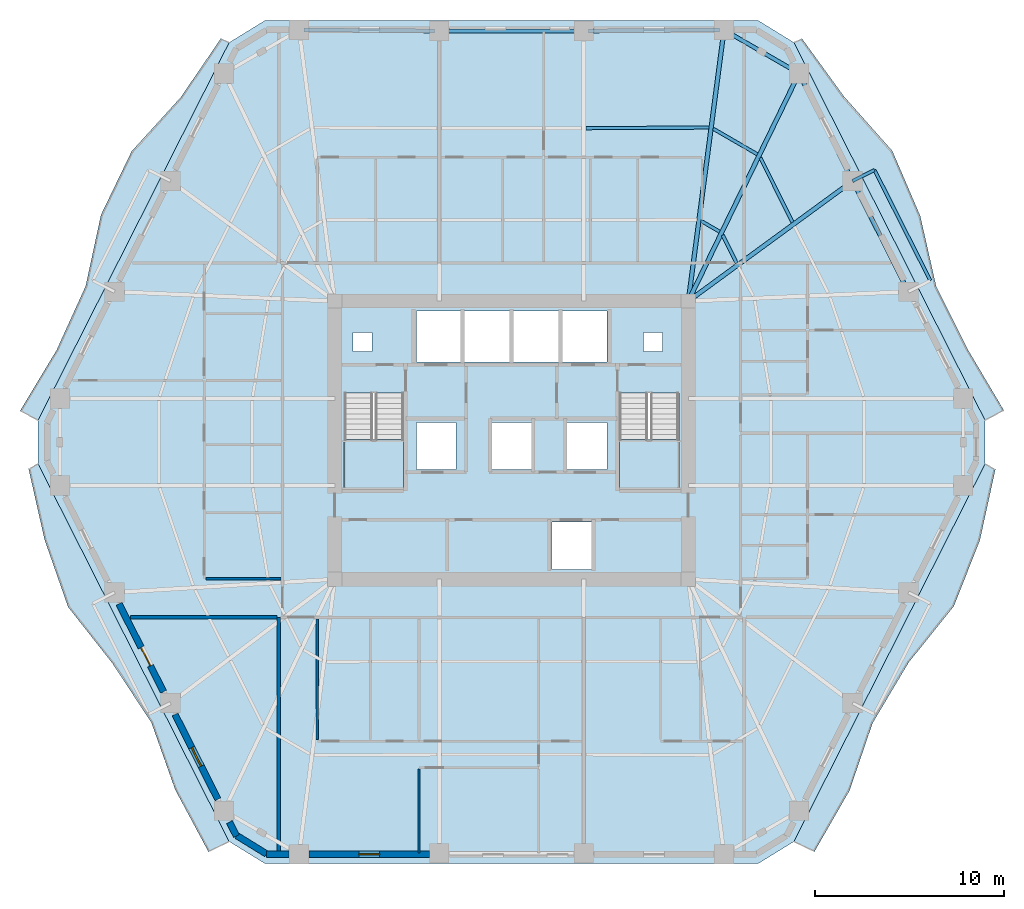
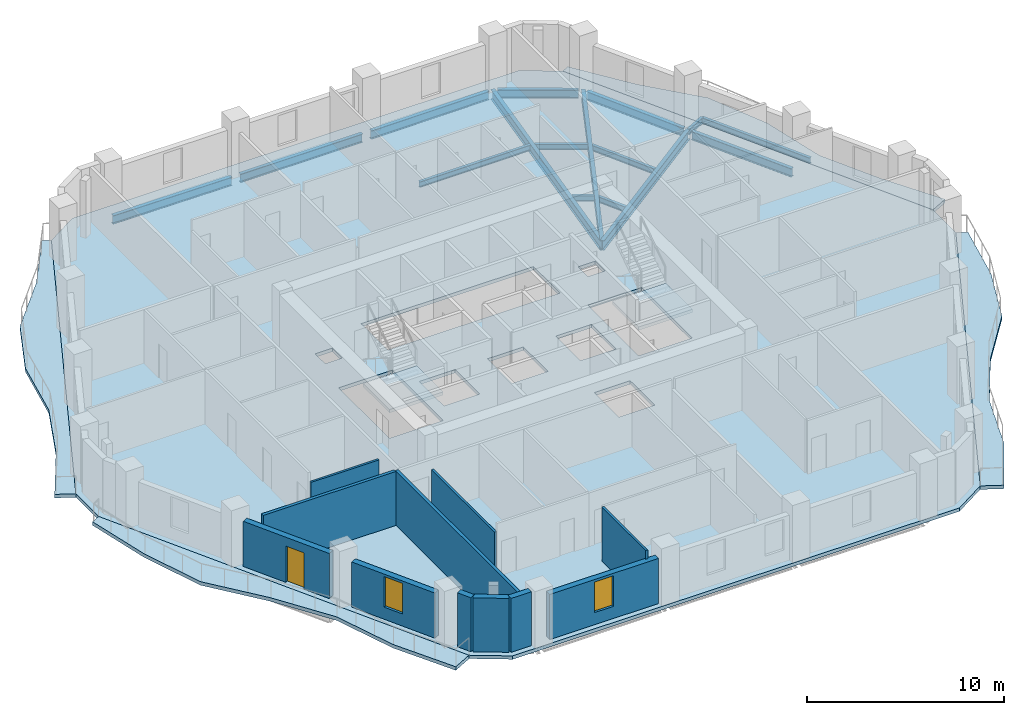
# One storey, part 3 of 11: 16 beams, 11 walls, 7 slabs, 2 windows, 1 door, 3 openings, 2 elements without a shape of their own.
"""IFC4 building model written with IfcOpenShell, lengths in metres."""

from ifc_helpers import new_model, si_unit, direction, frame, frame_2d, origin, origin_2d, place, context, subcontext, project, spatial, polyline, rectangle, i_section, outline, extrude, material, layer, layer_set, material_profile, profile_set, type_object, element, fill, aggregate, save


model = new_model("IFC4")

# Units and contexts
model_context = context("Model", 3, precision=1e-05, world=origin(), true_north=direction((0.0, 1.0)))
body_context = subcontext(model_context, "Body", "Model", "MODEL_VIEW")
ifc_project = project(units=[si_unit("LENGTHUNIT", "METRE"), si_unit("AREAUNIT", "SQUARE_METRE"), si_unit("VOLUMEUNIT", "CUBIC_METRE"), si_unit("PLANEANGLEUNIT", "RADIAN"), si_unit("MASSUNIT", "GRAM", prefix="KILO")], contexts=[model_context])

# Site, building, storey
site_placement = place(None, origin())
site = spatial("IfcSite", under=ifc_project, at=site_placement, CompositionType="ELEMENT")
building_placement = place(site_placement, origin())
building = spatial("IfcBuilding", under=site, at=building_placement, Name="Cinnabar Lancet Tower", CompositionType="ELEMENT")
storey_placement = place(building_placement, frame((0.0, 0.0, 101.949951171875)))
storey = spatial("IfcBuildingStorey", under=building, at=storey_placement, Name="L26", CompositionType="ELEMENT", Elevation=101.949951171875)

# Beams
ifc_material_1 = material(Name="Structural steel S355", Category="steel")
ifc_material_profile_1 = material_profile(ifc_material_1, i_section(OverallWidth=0.17138671875, OverallDepth=0.35498046875, WebThickness=0.00732421875, FlangeThickness=0.011474609375, FilletRadius=0.01025390625, at=origin_2d()), Name="UKB 356x171x51")
ifc_profile_set_1 = profile_set([ifc_material_profile_1], Name="Structural steel S355")
beam_type_1 = type_object("IfcBeamType", Name="STR-BM-JST-356", PredefinedType="JOIST", material=ifc_profile_set_1)
beam_1_placement = place(storey_placement, frame((47.300048828125, 37.455078125, -0.387939453125), z_axis=(-0.445116798807, 0.895472520751, 0.0), x_axis=(-0.895472520751, -0.445116798807, 0.0)))
element("IfcBeam", 1, at=beam_1_placement, inside=storey, type_object=beam_type_1, Name="L26 Secondary Floor Joist 29", PredefinedType="JOIST", context=body_context, shape_type="SweptSolid", body=[
    extrude(i_section(OverallWidth=0.17138671875, OverallDepth=0.35498046875, WebThickness=0.00732421875, FlangeThickness=0.011474609375, FilletRadius=0.01025390625, at=origin_2d()), origin(), (0.0, 0.0, 1.0), 3.8212890625),
])
beam_2_placement = place(storey_placement, frame((44.337890625, 35.2900390625, -0.387939453125), z_axis=(-0.445677136949, 0.895193772097, 0.0), x_axis=(-0.895193772097, -0.445677136949, 0.0)))
element("IfcBeam", 2, at=beam_2_placement, inside=storey, type_object=beam_type_1, Name="L26 Secondary Floor Joist 30", PredefinedType="JOIST", context=body_context, shape_type="SweptSolid", body=[
    extrude(i_section(OverallWidth=0.17138671875, OverallDepth=0.35498046875, WebThickness=0.00732421875, FlangeThickness=0.011474609375, FilletRadius=0.01025390625, at=origin_2d()), origin(), (0.0, 0.0, 1.0), 1.6533203125),
])
beam_3_placement = place(storey_placement, frame((45.43505859375, 41.06298828125, -0.387939453125), z_axis=(-0.865172906898, 0.501473669469, 0.0), x_axis=(-0.501473669469, -0.865172906898, 0.0)))
element("IfcBeam", 3, at=beam_3_placement, inside=storey, type_object=beam_type_1, Name="L26 Secondary Floor Joist 31", PredefinedType="JOIST", context=body_context, shape_type="SweptSolid", body=[
    extrude(i_section(OverallWidth=0.17138671875, OverallDepth=0.35498046875, WebThickness=0.00732421875, FlangeThickness=0.011474609375, FilletRadius=0.01025390625, at=origin_2d()), origin(), (0.0, 0.0, 1.0), 2.705810546875),
])
beam_4_placement = place(storey_placement, frame((43.43798828125, 36.9560546875, -0.387939453125), z_axis=(-0.865055308165, 0.501676503154, 0.0), x_axis=(-0.501676503154, -0.865055308165, 0.0)))
element("IfcBeam", 4, at=beam_4_placement, inside=storey, type_object=beam_type_1, Name="L26 Secondary Floor Joist 32", PredefinedType="JOIST", context=body_context, shape_type="SweptSolid", body=[
    extrude(i_section(OverallWidth=0.17138671875, OverallDepth=0.35498046875, WebThickness=0.00732421875, FlangeThickness=0.011474609375, FilletRadius=0.01025390625, at=origin_2d()), origin(), (0.0, 0.0, 1.0), 1.14208984375),
])
beam_5_placement = place(storey_placement, frame((42.8720703125, 42.48095703125, -0.387939453125), z_axis=(-0.999987991898, -0.004900618269, 0.0), x_axis=(0.004900618269, -0.999987991898, 0.0)))
element("IfcBeam", 5, at=beam_5_placement, inside=storey, type_object=beam_type_1, Name="L26 Secondary Floor Joist 33", PredefinedType="JOIST", context=body_context, shape_type="SweptSolid", body=[
    extrude(i_section(OverallWidth=0.17138671875, OverallDepth=0.35498046875, WebThickness=0.00732421875, FlangeThickness=0.011474609375, FilletRadius=0.01025390625, at=origin_2d()), origin(), (0.0, 0.0, 1.0), 6.526123046875),
])
ifc_material_2 = material(Name="Structural steel S355", Category="steel")
ifc_material_profile_2 = material_profile(ifc_material_2, i_section(OverallWidth=0.209228515625, OverallDepth=0.533203125, WebThickness=0.010009765625, FlangeThickness=0.015625, FilletRadius=0.0126953125, at=origin_2d()), Name="UKB 533x210x92")
ifc_profile_set_2 = profile_set([ifc_material_profile_2], Name="Structural steel S355")
beam_type_2 = type_object("IfcBeamType", Name="STR-BM-SPN-533", PredefinedType="SPANDREL", material=ifc_profile_set_2)
beam_6_placement = place(storey_placement, frame((53.339111328125, 33.9990234375, -0.47705078125), z_axis=(-0.450570325924, 0.892740937449, 0.0), x_axis=(-0.892740937449, -0.450570325924, 0.0)))
element("IfcBeam", 6, at=beam_6_placement, inside=storey, type_object=beam_type_2, Name="L26 Perimeter Spandrel 10", PredefinedType="SPANDREL", context=body_context, shape_type="SweptSolid", body=[
    extrude(i_section(OverallWidth=0.209228515625, OverallDepth=0.533203125, WebThickness=0.010009765625, FlangeThickness=0.015625, FilletRadius=0.0126953125, at=origin_2d()), origin(), (0.0, 0.0, 1.0), 6.07470703125),
])
beam_7_placement = place(storey_placement, frame((50.3779296875, 39.868896484375, -0.47705078125), z_axis=(-0.445501068635, 0.89528140707, 0.0), x_axis=(-0.89528140707, -0.445501068635, 0.0)))
element("IfcBeam", 7, at=beam_7_placement, inside=storey, type_object=beam_type_2, Name="L26 Perimeter Spandrel 11", PredefinedType="SPANDREL", context=body_context, shape_type="SweptSolid", body=[
    extrude(i_section(OverallWidth=0.209228515625, OverallDepth=0.533203125, WebThickness=0.010009765625, FlangeThickness=0.015625, FilletRadius=0.0126953125, at=origin_2d()), origin(), (0.0, 0.0, 1.0), 5.87646484375),
])
beam_8_placement = place(storey_placement, frame((47.43310546875, 45.47900390625, -0.47705078125), z_axis=(-0.865138129765, 0.5015336643, 0.0), x_axis=(-0.5015336643, -0.865138129765, 0.0)))
element("IfcBeam", 8, at=beam_8_placement, inside=storey, type_object=beam_type_2, Name="L26 Perimeter Spandrel 12", PredefinedType="SPANDREL", context=body_context, shape_type="SweptSolid", body=[
    extrude(i_section(OverallWidth=0.209228515625, OverallDepth=0.533203125, WebThickness=0.010009765625, FlangeThickness=0.015625, FilletRadius=0.0126953125, at=origin_2d()), origin(), (0.0, 0.0, 1.0), 4.10107421875),
])
beam_9_placement = place(storey_placement, frame((43.4189453125, 47.658935546875, -0.47705078125), z_axis=(-0.999975228682, -0.007038609338, 0.0), x_axis=(0.007038609338, -0.999975228682, 0.0)))
element("IfcBeam", 9, at=beam_9_placement, inside=storey, type_object=beam_type_2, Name="L26 Perimeter Spandrel 13", PredefinedType="SPANDREL", context=body_context, shape_type="SweptSolid", body=[
    extrude(i_section(OverallWidth=0.209228515625, OverallDepth=0.533203125, WebThickness=0.010009765625, FlangeThickness=0.015625, FilletRadius=0.0126953125, at=origin_2d()), origin(), (0.0, 0.0, 1.0), 6.937255859375),
])
beam_10_placement = place(storey_placement, frame((35.98193359375, 47.60791015625, -0.47705078125), z_axis=(-1.0, 0.0, 0.0), x_axis=(0.0, -1.0, 0.0)))
element("IfcBeam", 10, at=beam_10_placement, inside=storey, type_object=beam_type_2, Name="L26 Perimeter Spandrel 14", PredefinedType="SPANDREL", context=body_context, shape_type="SweptSolid", body=[
    extrude(i_section(OverallWidth=0.209228515625, OverallDepth=0.533203125, WebThickness=0.010009765625, FlangeThickness=0.015625, FilletRadius=0.0126953125, at=origin_2d()), origin(), (0.0, 0.0, 1.0), 7.163818359375),
])
beam_11_placement = place(storey_placement, frame((28.318115234375, 47.610107421875, -0.47705078125), z_axis=(-0.999975228682, 0.007038609338, 0.0), x_axis=(-0.007038609338, -0.999975228682, 0.0)))
element("IfcBeam", 11, at=beam_11_placement, inside=storey, type_object=beam_type_2, Name="L26 Perimeter Spandrel 15", PredefinedType="SPANDREL", context=body_context, shape_type="SweptSolid", body=[
    extrude(i_section(OverallWidth=0.209228515625, OverallDepth=0.533203125, WebThickness=0.010009765625, FlangeThickness=0.015625, FilletRadius=0.0126953125, at=origin_2d()), origin(), (0.0, 0.0, 1.0), 6.937255859375),
])
ifc_material_3 = material(Name="Structural steel S355", Category="steel")
ifc_material_profile_3 = material_profile(ifc_material_3, i_section(OverallWidth=0.228271484375, OverallDepth=0.607666015625, WebThickness=0.010986328125, FlangeThickness=0.017333984375, FilletRadius=0.0126953125, at=origin_2d()), Name="UKB 610x229x113")
ifc_profile_set_3 = profile_set([ifc_material_profile_3], Name="Structural steel S355")
beam_type_3 = type_object("IfcBeamType", Name="STR-BM-UKB610-113", PredefinedType="BEAM", material=ifc_profile_set_3)
beam_12_placement = place(storey_placement, frame((50.489013671875, 39.64501953125, -0.513916015625), z_axis=(-0.807297870919, -0.590144175273, 0.0), x_axis=(0.590144175273, -0.807297870919, 0.0)))
element("IfcBeam", 12, at=beam_12_placement, inside=storey, type_object=beam_type_3, Name="L26 Corner Collector Girder 3", PredefinedType="BEAM", context=body_context, shape_type="SweptSolid", body=[
    extrude(i_section(OverallWidth=0.228271484375, OverallDepth=0.607666015625, WebThickness=0.010986328125, FlangeThickness=0.017333984375, FilletRadius=0.0126953125, at=origin_2d()), origin(), (0.0, 0.0, 1.0), 10.794189453125),
])
beam_13_placement = place(storey_placement, frame((47.64892578125, 45.35400390625, -0.513916015625), z_axis=(-0.437327473227, -0.899302330232, 0.0), x_axis=(0.899302330232, -0.437327473227, 0.0)))
element("IfcBeam", 13, at=beam_13_placement, inside=storey, type_object=beam_type_3, Name="L26 Primary Floor Girder 12", PredefinedType="BEAM", context=body_context, shape_type="SweptSolid", body=[
    extrude(i_section(OverallWidth=0.228271484375, OverallDepth=0.607666015625, WebThickness=0.010986328125, FlangeThickness=0.017333984375, FilletRadius=0.0126953125, at=origin_2d()), origin(), (0.0, 0.0, 1.0), 13.431640625),
])
beam_14_placement = place(storey_placement, frame((43.6689453125, 47.660888671875, -0.513916015625), z_axis=(-0.130532420418, -0.991444041396, 0.0), x_axis=(0.991444041396, -0.130532420418, 0.0)))
element("IfcBeam", 14, at=beam_14_placement, inside=storey, type_object=beam_type_3, Name="L26 Primary Floor Girder 13", PredefinedType="BEAM", context=body_context, shape_type="SweptSolid", body=[
    extrude(i_section(OverallWidth=0.228271484375, OverallDepth=0.607666015625, WebThickness=0.010986328125, FlangeThickness=0.017333984375, FilletRadius=0.0126953125, at=origin_2d()), origin(), (0.0, 0.0, 1.0), 14.51025390625),
])
ifc_material_4 = material(Name="Structural steel S355", Category="steel")
ifc_material_profile_4 = material_profile(ifc_material_4, i_section(OverallWidth=0.17138671875, OverallDepth=0.35498046875, WebThickness=0.00732421875, FlangeThickness=0.011474609375, FilletRadius=0.01025390625, at=origin_2d()), Name="UKB 356x171x51")
ifc_profile_set_4 = profile_set([ifc_material_profile_4], Name="Structural steel S355")
beam_type_4 = type_object("IfcBeamType", Name="STR-BM-WAV-OUT", PredefinedType="BEAM", material=ifc_profile_set_4)
beam_15_placement = place(storey_placement, frame((50.489013671875, 39.64501953125, -0.39697265625), z_axis=(0.89227592947, 0.451490493464, 0.0), x_axis=(-0.451490493464, 0.89227592947, 0.0)))
element("IfcBeam", 15, at=beam_15_placement, inside=storey, type_object=beam_type_4, Name="L26 Face 3 Balcony Outlooker B", PredefinedType="BEAM", context=body_context, shape_type="SweptSolid", body=[
    extrude(i_section(OverallWidth=0.17138671875, OverallDepth=0.35498046875, WebThickness=0.00732421875, FlangeThickness=0.011474609375, FilletRadius=0.01025390625, at=origin_2d()), origin(), (0.0, 0.0, 1.0), 1.300048828125),
])
ifc_material_5 = material(Name="Structural steel S355", Category="steel")
ifc_material_profile_5 = material_profile(ifc_material_5, i_section(OverallWidth=0.17138671875, OverallDepth=0.35498046875, WebThickness=0.00732421875, FlangeThickness=0.011474609375, FilletRadius=0.01025390625, at=origin_2d()), Name="UKB 356x171x51")
ifc_profile_set_5 = profile_set([ifc_material_profile_5], Name="Structural steel S355")
beam_type_5 = type_object("IfcBeamType", Name="STR-BM-WAV-TRIM", PredefinedType="SPANDREL", material=ifc_profile_set_5)
beam_16_placement = place(storey_placement, frame((54.612060546875, 34.363037109375, -0.39697265625), z_axis=(-0.450700828166, 0.892675060417, 0.0), x_axis=(-0.892675060417, -0.450700828166, 0.0)))
element("IfcBeam", 16, at=beam_16_placement, inside=storey, type_object=beam_type_5, Name="L26 Face 3 Balcony Edge Trimmer", PredefinedType="SPANDREL", context=body_context, shape_type="SweptSolid", body=[
    extrude(i_section(OverallWidth=0.17138671875, OverallDepth=0.35498046875, WebThickness=0.00732421875, FlangeThickness=0.011474609375, FilletRadius=0.01025390625, at=origin_2d()), origin(), (0.0, 0.0, 1.0), 6.574462890625),
])

# Stair, slab
ifc_material_6 = material(Name="Concrete C40/50", Category="concrete")
stair_type = type_object("IfcStairType", Name="ST-CORE", PredefinedType="HALF_TURN_STAIR", material=ifc_material_6)
stair_1_placement = place(storey_placement, origin())
stair_1 = element("IfcStair", 17, at=stair_1_placement, inside=storey, type_object=stair_type, Name="L26 ST-1", PredefinedType="HALF_TURN_STAIR")
ifc_material_7 = material(Name="Concrete C40/50", Category="concrete")
ifc_layer_1 = layer(ifc_material_7, 0.199951171875)
ifc_layer_set_1 = layer_set([ifc_layer_1], Name="Concrete C40/50")
slab_type_1 = type_object("IfcSlabType", Name="LANDING-CORE", PredefinedType="LANDING", material=ifc_layer_set_1)
slab_1_placement = place(storey_placement, frame((0.0, 0.0, 1.574951171875)))
slab_1 = element("IfcSlab", 18, at=slab_1_placement, type_object=slab_type_1, Name="ST-1 landing 1", PredefinedType="LANDING", context=body_context, shape_type="SweptSolid", body=[
    extrude(outline(polyline([(23.52490234375, 25.925048828125), (23.52490234375, 23.25), (26.675048828125, 23.25), (26.675048828125, 25.925048828125), (23.52490234375, 25.925048828125)])), origin(), (0.0, 0.0, 1.0), 0.2001953125),
])
aggregate(stair_1, [slab_1])

stair_2_placement = place(storey_placement, origin())
stair_2 = element("IfcStair", 19, at=stair_2_placement, inside=storey, type_object=stair_type, Name="L26 ST-2", PredefinedType="HALF_TURN_STAIR")
slab_2_placement = place(storey_placement, frame((0.0, 0.0, 1.574951171875)))
slab_2 = element("IfcSlab", 20, at=slab_2_placement, type_object=slab_type_1, Name="ST-2 landing 1", PredefinedType="LANDING", context=body_context, shape_type="SweptSolid", body=[
    extrude(outline(polyline([(38.125, 25.925048828125), (38.125, 23.25), (41.27490234375, 23.25), (41.27490234375, 25.925048828125), (38.125, 25.925048828125)])), origin(), (0.0, 0.0, 1.0), 0.2001953125),
])
aggregate(stair_2, [slab_2])

# Slabs
ifc_material_8 = material(Name="Concrete C40/50", Category="concrete")
ifc_layer_2 = layer(ifc_material_8, 0.2099609375)
ifc_layer_set_2 = layer_set([ifc_layer_2], Name="Concrete C40/50")
slab_type_2 = type_object("IfcSlabType", Name="STR-SLB-FLR-210", PredefinedType="FLOOR", material=ifc_layer_set_2)
slab_3_placement = place(storey_placement, frame((0.0, 0.0, -0.2099609375)))
element("IfcSlab", 21, at=slab_3_placement, inside=storey, type_object=slab_type_2, Name="L26 Structural Floor Slab", PredefinedType="FLOOR", context=body_context, shape_type="SweptSolid", body=[
    extrude(outline(polyline([(17.4208984375, 4.610107421875), (19.30810546875, 3.449951171875), (45.491943359375, 3.449951171875), (47.37890625, 4.610107421875), (57.512939453125, 24.639892578125), (57.512939453125, 26.9599609375), (47.37890625, 46.989990234375), (45.491943359375, 48.14990234375), (19.30810546875, 48.14990234375), (17.4208984375, 46.989990234375), (7.287109375, 26.9599609375), (7.287109375, 24.639892578125), (17.4208984375, 4.610107421875)]), holes=[polyline([(23.52490234375, 23.25), (26.675048828125, 23.25), (26.675048828125, 28.3994140625), (23.52490234375, 28.3994140625), (23.52490234375, 23.25)]), polyline([(38.125, 23.25), (41.27490234375, 23.25), (41.27490234375, 28.3994140625), (38.125, 28.3994140625), (38.125, 23.25)]), polyline([(27.35009765625, 30.050048828125), (37.449951171875, 30.050048828125), (37.449951171875, 32.75), (27.35009765625, 32.75), (27.35009765625, 30.050048828125)]), polyline([(34.550048828125, 19.050048828125), (36.64990234375, 19.050048828125), (36.64990234375, 21.550048828125), (34.550048828125, 21.550048828125), (34.550048828125, 19.050048828125)]), polyline([(27.35009765625, 24.35009765625), (29.449951171875, 24.35009765625), (29.449951171875, 26.85009765625), (27.35009765625, 26.85009765625), (27.35009765625, 24.35009765625)]), polyline([(35.35009765625, 24.35009765625), (37.449951171875, 24.35009765625), (37.449951171875, 26.85009765625), (35.35009765625, 26.85009765625), (35.35009765625, 24.35009765625)]), polyline([(31.35009765625, 24.35009765625), (33.449951171875, 24.35009765625), (33.449951171875, 26.85009765625), (31.35009765625, 26.85009765625), (31.35009765625, 24.35009765625)]), polyline([(24.0, 30.60009765625), (25.0, 30.60009765625), (25.0, 31.60009765625), (24.0, 31.60009765625), (24.0, 30.60009765625)]), polyline([(39.39990234375, 30.60009765625), (40.39990234375, 30.60009765625), (40.39990234375, 31.60009765625), (39.39990234375, 31.60009765625), (39.39990234375, 30.60009765625)])]), origin(), (0.0, 0.0, 1.0), 0.2099609375),
])
ifc_material_9 = material(Name="Concrete C45/55", Category="concrete")
ifc_layer_3 = layer(ifc_material_9, 0.219970703125)
ifc_layer_set_3 = layer_set([ifc_layer_3], Name="Concrete C45/55")
slab_type_3 = type_object("IfcSlabType", Name="STR-SLB-WAV-220", PredefinedType="FLOOR", material=ifc_layer_set_3)
slab_4_placement = place(storey_placement, frame((0.0, 0.0, -0.219970703125)))
element("IfcSlab", 22, at=slab_4_placement, inside=storey, type_object=slab_type_3, Name="L26 Face 2 Undulating Wave Balcony Slab", PredefinedType="FLOOR", context=body_context, shape_type="SweptSolid", body=[
    extrude(outline(polyline([(47.37890625, 4.610107421875), (48.4560546875, 4.06494140625), (50.323974609375, 7.31298828125), (51.544921875, 10.887939453125), (53.4619140625, 14.111083984375), (55.85888671875, 17.091064453125), (57.237060546875, 20.5869140625), (58.06396484375, 24.361083984375), (57.512939453125, 24.639892578125), (47.37890625, 4.610107421875)])), origin(), (0.0, 0.0, 1.0), 0.219970703125),
])
slab_5_placement = place(storey_placement, frame((0.0, 0.0, -0.219970703125)))
element("IfcSlab", 23, at=slab_5_placement, inside=storey, type_object=slab_type_3, Name="L26 Face 3 Undulating Wave Balcony Slab", PredefinedType="FLOOR", context=body_context, shape_type="SweptSolid", body=[
    extrude(outline(polyline([(57.512939453125, 26.9599609375), (58.51904296875, 27.468994140625), (56.60693359375, 30.694091796875), (54.927001953125, 34.037109375), (54.073974609375, 37.799072265625), (52.593994140625, 41.242919921875), (50.02587890625, 44.135986328125), (47.799072265625, 47.201904296875), (47.37890625, 46.989990234375), (57.512939453125, 26.9599609375)])), origin(), (0.0, 0.0, 1.0), 0.219970703125),
])
slab_6_placement = place(storey_placement, frame((0.0, 0.0, -0.219970703125)))
element("IfcSlab", 24, at=slab_6_placement, inside=storey, type_object=slab_type_3, Name="L26 Face 5 Undulating Wave Balcony Slab", PredefinedType="FLOOR", context=body_context, shape_type="SweptSolid", body=[
    extrude(outline(polyline([(17.4208984375, 46.989990234375), (16.987060546875, 47.208984375), (14.860107421875, 44.093017578125), (12.2509765625, 41.219970703125), (10.6240234375, 37.85009765625), (9.80908203125, 34.070068359375), (8.260986328125, 30.659912109375), (6.327880859375, 27.445068359375), (7.287109375, 26.9599609375), (17.4208984375, 46.989990234375)])), origin(), (0.0, 0.0, 1.0), 0.219970703125),
])
slab_7_placement = place(storey_placement, frame((0.0, 0.0, -0.219970703125)))
element("IfcSlab", 25, at=slab_7_placement, inside=storey, type_object=slab_type_3, Name="L26 Face 6 Undulating Wave Balcony Slab", PredefinedType="FLOOR", context=body_context, shape_type="SweptSolid", body=[
    extrude(outline(polyline([(7.287109375, 24.639892578125), (6.782958984375, 24.385009765625), (7.631103515625, 20.62109375), (8.8759765625, 17.05810546875), (11.236083984375, 14.05908203125), (13.300048828125, 10.910888671875), (14.56201171875, 7.35595703125), (16.330078125, 4.05810546875), (17.4208984375, 4.610107421875), (7.287109375, 24.639892578125)])), origin(), (0.0, 0.0, 1.0), 0.219970703125),
])

# Walls
ifc_material_10 = material(Name="Fire-rated twin-frame acoustic drywall", Category="gypsum")
ifc_layer_4 = layer(ifc_material_10, 0.179931640625)
ifc_layer_set_4 = layer_set([ifc_layer_4], Name="Fire-rated twin-frame acoustic drywall")
wall_type_1 = type_object("IfcWallType", Name="ARC-WL-PARTY-180", PredefinedType="PARTITIONING", material=ifc_layer_set_4)
wall_1_placement = place(storey_placement, frame((20.050048828125, 4.10498046875, 0.0), z_axis=(0.0, 0.0, 1.0), x_axis=(0.0, 1.0, 0.0)))
element("IfcWall", 26, at=wall_1_placement, inside=storey, type_object=wall_type_1, Name="PW-L26-SPTY-200", PredefinedType="PARTITIONING", context=body_context, shape_type="SweptSolid", body=[
    extrude(rectangle(XDim=12.39501953125, YDim=0.179931640625, at=frame_2d((6.197509765625, 0.0))), origin(), (0.0, 0.0, 1.0), 3.340087890625),
])
wall_2_placement = place(storey_placement, frame((12.18505859375, 16.5, 0.0), z_axis=(0.0, 0.0, 1.0), x_axis=(1.0, 0.0, 0.0)))
element("IfcWall", 27, at=wall_2_placement, inside=storey, type_object=wall_type_1, Name="PW-L26-WSB", PredefinedType="PARTITIONING", context=body_context, shape_type="SweptSolid", body=[
    extrude(rectangle(XDim=7.77001953125, YDim=0.179931640625, at=frame_2d((3.885009765625, 0.0))), origin(), (0.0, 0.0, 1.0), 3.340087890625),
])
ifc_material_11 = material(Name="Gypsum plasterboard stud partition", Category="gypsum")
ifc_layer_5 = layer(ifc_material_11, 0.125)
ifc_layer_set_5 = layer_set([ifc_layer_5], Name="Gypsum plasterboard stud partition")
wall_type_2 = type_object("IfcWallType", Name="ARC-WL-UNIT-125", PredefinedType="PARTITIONING", material=ifc_layer_set_5)
wall_3_placement = place(storey_placement, frame((22.10009765625, 10.035888671875, 0.0), z_axis=(0.0, 0.0, 1.0), x_axis=(0.0, 1.0, 0.0)))
element("IfcWall", 28, at=wall_3_placement, inside=storey, type_object=wall_type_2, Name="UW-L26-S01-FOYE", PredefinedType="PARTITIONING", context=body_context, shape_type="SweptSolid", body=[
    extrude(rectangle(XDim=6.379150390625, YDim=0.125, at=frame_2d((3.189453125, 0.0))), origin(), (0.0, 0.0, 1.0), 2.72216796875),
])
wall_4_placement = place(storey_placement, frame((27.493896484375, 4.014892578125, 0.0), z_axis=(0.0, 0.0, 1.0), x_axis=(0.0, 1.0, 0.0)))
element("IfcWall", 29, at=wall_4_placement, inside=storey, type_object=wall_type_2, Name="UW-L26-S01-BD2W", PredefinedType="PARTITIONING", context=body_context, shape_type="SweptSolid", body=[
    extrude(rectangle(XDim=4.451171875, YDim=0.125, at=frame_2d((2.2255859375, 0.0))), origin(), (0.0, 0.0, 1.0), 3.340087890625),
])
wall_5_placement = place(storey_placement, frame((16.18505859375, 18.550048828125, 0.0), z_axis=(0.0, 0.0, 1.0), x_axis=(1.0, 0.0, 0.0)))
element("IfcWall", 30, at=wall_5_placement, inside=storey, type_object=wall_type_2, Name="UW-L26-W01-FOYN", PredefinedType="PARTITIONING", context=body_context, shape_type="SweptSolid", body=[
    extrude(rectangle(XDim=3.97998046875, YDim=0.125, at=frame_2d((1.989990234375, 0.0))), origin(), (0.0, 0.0, 1.0), 2.72216796875),
])
ifc_material_12 = material(Name="Cinnabar red clay brick", Category="masonry")
ifc_layer_6 = layer(ifc_material_12, 0.340087890625)
ifc_layer_set_6 = layer_set([ifc_layer_6], Name="Cinnabar red clay brick")
wall_type_3 = type_object("IfcWallType", Name="ENV-WL-BRK-RED-340", PredefinedType="STANDARD", material=ifc_layer_set_6)
wall_6_placement = place(storey_placement, frame((17.8291015625, 4.923095703125, 0.0), z_axis=(0.0, 0.0, 1.0), x_axis=(0.851798915137, -0.523868884523, 0.0)))
element("IfcWall", 31, at=wall_6_placement, inside=storey, type_object=wall_type_3, Name="L26 Chamfered Corner Brick Pier 1.1", PredefinedType="STANDARD", context=body_context, shape_type="SweptSolid", body=[
    extrude(rectangle(XDim=1.847900390625, YDim=0.340087890625, at=frame_2d((0.923828125, 0.0))), origin(), (0.0, 0.0, 1.0), 3.340087890625),
])
wall_7_placement = place(storey_placement, frame((19.39794921875, 3.929931640625, 0.0), z_axis=(0.0, 0.0, 1.0), x_axis=(1.0, 0.0, 0.0)))
element("IfcWall", 32, at=wall_7_placement, inside=storey, type_object=wall_type_3, Name="L26 Face 1 Masonry Bay Wall 1", PredefinedType="STANDARD", context=body_context, shape_type="SweptSolid", body=[
    extrude(rectangle(XDim=1.2041015625, YDim=0.340087890625, at=frame_2d((0.60205078125, 0.0))), origin(), (0.0, 0.0, 1.0), 3.340087890625),
])

# Wall, opening, window
wall_8_placement = place(storey_placement, frame((21.659912109375, 3.929931640625, 0.0), z_axis=(0.0, 0.0, 1.0), x_axis=(1.0, 0.0, 0.0)))
wall_8 = element("IfcWall", 33, at=wall_8_placement, inside=storey, type_object=wall_type_3, Name="L26 Face 1 Masonry Bay Wall 2", PredefinedType="STANDARD", context=body_context, shape_type="SweptSolid", body=[
    extrude(rectangle(XDim=6.379150390625, YDim=0.340087890625, at=frame_2d((3.189453125, 0.0))), origin(), (0.0, 0.0, 1.0), 2.797119140625),
])
opening_1_placement = place(wall_8_placement, frame((2.639892578125, 0.0, 0.75)))
opening_1 = element("IfcOpeningElement", 34, at=opening_1_placement, cuts=wall_8, Name="Opening WN-04", PredefinedType="OPENING", context=body_context, shape_type="SweptSolid", body=[
    extrude(rectangle(XDim=1.10009765625, YDim=1.89697265625, at=frame_2d((0.550048828125, 0.948486328125))), frame((0.0, 0.179931640625, 0.0), z_axis=(0.0, -1.0, 0.0), x_axis=(1.0, 0.0, 0.0)), (0.0, 0.0, 1.0), 0.360107421875),
])
ifc_material_13 = material(Name="Thermally broken bronze-anodized aluminium tall lancet window", Category="aluminium")
window_type = type_object("IfcWindowType", Name="ENV-WN-LANCET-1100", PartitioningType="SINGLE_PANEL", PredefinedType="WINDOW", material=ifc_material_13)
window_1_placement = place(opening_1_placement, origin())
window_1 = element("IfcWindow", 35, at=window_1_placement, inside=storey, type_object=window_type, Name="L26 Face 1 Gothic Lancet Window 2", OverallHeight=1.89697265625, OverallWidth=1.10009765625, PartitioningType="SINGLE_PANEL", PredefinedType="WINDOW", context=body_context, shape_type="SweptSolid", body=[
    extrude(rectangle(XDim=1.10009765625, YDim=1.89697265625, at=frame_2d((0.550048828125, 0.948486328125))), frame((0.0, 0.030029296875, 0.0), z_axis=(0.0, -1.0, 0.0), x_axis=(1.0, 0.0, 0.0)), (0.0, 0.0, 1.0), 0.06005859375),
])
fill(opening_1, window_1)

# Wall, opening, door
wall_9_placement = place(storey_placement, frame((11.580078125, 17.218017578125, 0.0), z_axis=(0.0, 0.0, 1.0), x_axis=(0.451567731634, -0.892236842855, 0.0)))
wall_9 = element("IfcWall", 36, at=wall_9_placement, inside=storey, type_object=wall_type_3, Name="L26 Face 6 Masonry Bay Wall 3", PredefinedType="STANDARD", context=body_context, shape_type="SweptSolid", body=[
    extrude(rectangle(XDim=5.219482421875, YDim=0.340087890625, at=frame_2d((2.60986328125, 0.0))), origin(), (0.0, 0.0, 1.0), 2.797119140625),
])
opening_2_placement = place(wall_9_placement, frame((2.5869140625, 0.0, 0.0)))
opening_2 = element("IfcOpeningElement", 37, at=opening_2_placement, cuts=wall_9, Name="Opening TD-01", PredefinedType="OPENING", context=body_context, shape_type="SweptSolid", body=[
    extrude(rectangle(XDim=1.10009765625, YDim=2.25, at=frame_2d((0.550048828125, 1.125))), frame((0.0, 0.179931640625, 0.0), z_axis=(0.0, -1.0, 0.0), x_axis=(1.0, 0.0, 0.0)), (0.0, 0.0, 1.0), 0.360107421875),
])
ifc_material_14 = material(Name="Thermally broken low-E glazed balcony terrace door", Category="wood")
door_type = type_object("IfcDoorType", Name="ARC-DR-BALC", OperationType="NOTDEFINED", PredefinedType="DOOR", material=ifc_material_14)
door_placement = place(opening_2_placement, origin())
door = element("IfcDoor", 38, at=door_placement, inside=storey, type_object=door_type, Name="L26 Face 6 Glazed Terrace Door", OperationType="SINGLE_SWING_LEFT", OverallHeight=2.25, OverallWidth=1.10009765625, PredefinedType="DOOR", context=body_context, shape_type="SweptSolid", body=[
    extrude(rectangle(XDim=1.10009765625, YDim=2.25, at=frame_2d((0.550048828125, 1.125))), frame((0.0, 0.02490234375, 0.0), z_axis=(0.0, -1.0, 0.0), x_axis=(1.0, 0.0, 0.0)), (0.0, 0.0, 1.0), 0.050048828125),
])
fill(opening_2, door)

# Wall, opening, window
wall_10_placement = place(storey_placement, frame((14.549072265625, 11.34912109375, 0.0), z_axis=(0.0, 0.0, 1.0), x_axis=(0.451548465867, -0.892246593142, 0.0)))
wall_10 = element("IfcWall", 39, at=wall_10_placement, inside=storey, type_object=wall_type_3, Name="L26 Face 6 Masonry Bay Wall 4", PredefinedType="STANDARD", context=body_context, shape_type="SweptSolid", body=[
    extrude(rectangle(XDim=5.040283203125, YDim=0.340087890625, at=frame_2d((2.52001953125, 0.0))), origin(), (0.0, 0.0, 1.0), 2.797119140625),
])
opening_3_placement = place(wall_10_placement, frame((1.969970703125, 0.0, 0.75)))
opening_3 = element("IfcOpeningElement", 40, at=opening_3_placement, cuts=wall_10, Name="Opening WN-04", PredefinedType="OPENING", context=body_context, shape_type="SweptSolid", body=[
    extrude(rectangle(XDim=1.10009765625, YDim=1.89697265625, at=frame_2d((0.550048828125, 0.948486328125))), frame((0.0, 0.179931640625, 0.0), z_axis=(0.0, -1.0, 0.0), x_axis=(1.0, 0.0, 0.0)), (0.0, 0.0, 1.0), 0.360107421875),
])
window_2_placement = place(opening_3_placement, origin())
window_2 = element("IfcWindow", 41, at=window_2_placement, inside=storey, type_object=window_type, Name="L26 Face 6 Gothic Lancet Window 4", OverallHeight=1.89697265625, OverallWidth=1.10009765625, PartitioningType="SINGLE_PANEL", PredefinedType="WINDOW", context=body_context, shape_type="SweptSolid", body=[
    extrude(rectangle(XDim=1.10009765625, YDim=1.89697265625, at=frame_2d((0.550048828125, 0.948486328125))), frame((0.0, 0.030029296875, 0.0), z_axis=(0.0, -1.0, 0.0), x_axis=(1.0, 0.0, 0.0)), (0.0, 0.0, 1.0), 0.06005859375),
])
fill(opening_3, window_2)

# Wall
wall_11_placement = place(storey_placement, frame((17.43798828125, 5.639892578125, 0.0), z_axis=(0.0, 0.0, 1.0), x_axis=(0.45172514337, -0.892157158155, 0.0)))
element("IfcWall", 42, at=wall_11_placement, inside=storey, type_object=wall_type_3, Name="L26 Face 6 Masonry Bay Wall 5", PredefinedType="STANDARD", context=body_context, shape_type="SweptSolid", body=[
    extrude(rectangle(XDim=0.821533203125, YDim=0.340087890625, at=frame_2d((0.41064453125, 0.0))), origin(), (0.0, 0.0, 1.0), 3.340087890625),
])

save(model, "model.ifc")
